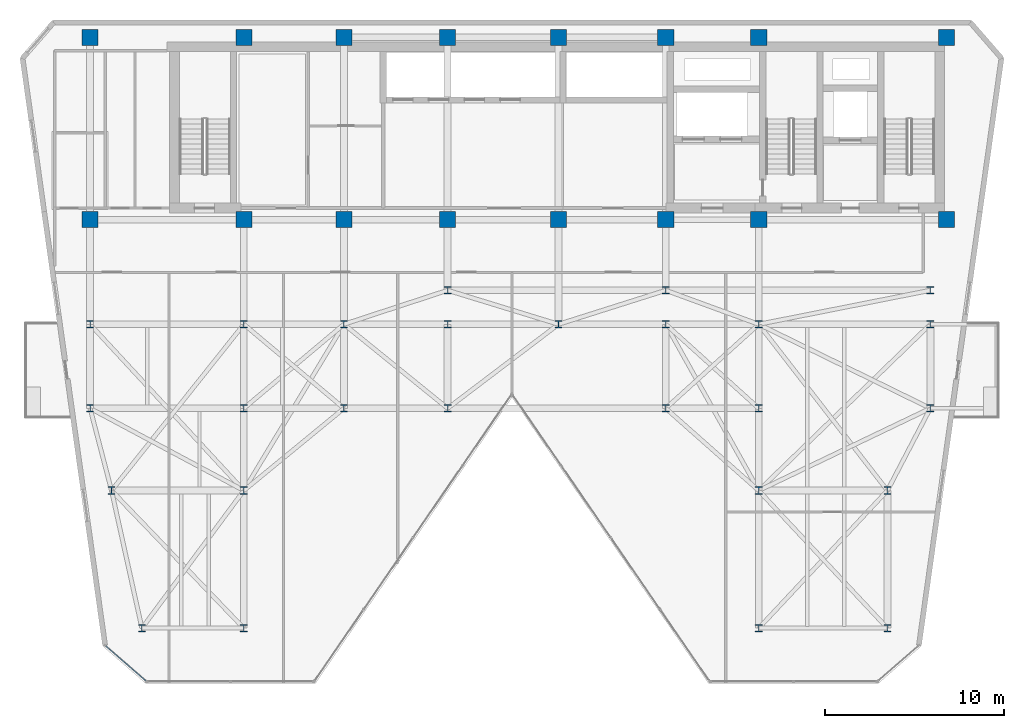
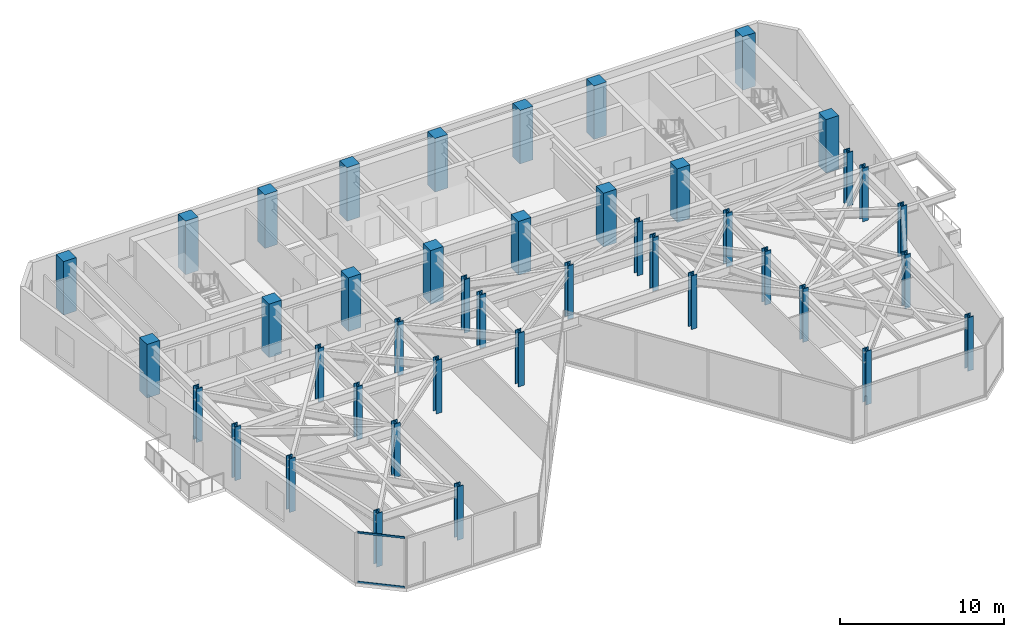
# One storey, part 1 of 21: 42 columns, 2 members, 1 element without a shape of its own.
"""IFC4 building model written with IfcOpenShell, lengths in metres."""

from ifc_helpers import new_model, si_unit, direction, frame, origin, origin_2d, place, context, subcontext, project, spatial, rectangle, hollow_rectangle, i_section, extrude, material, layer, layer_set, material_profile, profile_set, type_object, element, aggregate, save


model = new_model("IFC4")

# Units and contexts
model_context = context("Model", 3, precision=1e-05, world=origin(), true_north=direction((0.0, 1.0)))
body_context = subcontext(model_context, "Body", "Model", "MODEL_VIEW")
ifc_project = project(units=[si_unit("LENGTHUNIT", "METRE"), si_unit("AREAUNIT", "SQUARE_METRE"), si_unit("VOLUMEUNIT", "CUBIC_METRE"), si_unit("PLANEANGLEUNIT", "RADIAN"), si_unit("MASSUNIT", "GRAM", prefix="KILO")], contexts=[model_context])

# Site, building, storey
site_placement = place(None, origin())
site = spatial("IfcSite", under=ifc_project, at=site_placement, CompositionType="ELEMENT")
building_placement = place(site_placement, origin())
building = spatial("IfcBuilding", under=site, at=building_placement, Name="Kravanh Interchange Tower", CompositionType="ELEMENT")
storey_placement = place(building_placement, frame((0.0, 0.0, 168.5)))
storey = spatial("IfcBuildingStorey", under=building, at=storey_placement, Name="L40", CompositionType="ELEMENT", Elevation=168.5)

# Columns
ifc_material_1 = material(Name="Concrete C60/75", Category="concrete")
ifc_material_profile_1 = material_profile(ifc_material_1, rectangle(XDim=0.89990234375, YDim=0.89990234375, at=origin_2d()), Name="RC900X900")
ifc_profile_set_1 = profile_set([ifc_material_profile_1], Name="Concrete C60/75")
column_type_1 = type_object("IfcColumnType", Name="Column RC900X900 Concrete C60/75", PredefinedType="COLUMN", material=ifc_profile_set_1)
for number, where, z_axis, x_axis, name in (
    (1, (66.5, 47.550048828125, 0.0), (0.0, 0.0, 1.0), (1.0, 0.0, 0.0), "L40 Column CS01"),
    (2, (56.0, 47.550048828125, 0.0), (0.0, 0.0, 1.0), (1.0, 0.0, 0.0), "L40 Column CS02"),
    (3, (66.5, 37.35009765625, 0.0), (0.0, 0.0, 1.0), (1.0, 0.0, 0.0), "L40 Column CS03"),
    (4, (56.0, 37.35009765625, 0.0), (0.0, 0.0, 1.0), (1.0, 0.0, 0.0), "L40 Column CS04"),
    (5, (50.800048828125, 47.550048828125, 0.0), (0.0, 0.0, 1.0), (1.0, 0.0, 0.0), "L40 Column CS05"),
    (6, (50.800048828125, 37.35009765625, 0.0), (0.0, 0.0, 1.0), (1.0, 0.0, 0.0), "L40 Column CS06"),
    (7, (44.800048828125, 37.35009765625, 0.0), (0.0, 0.0, 1.0), (1.0, 0.0, 0.0), "L40 Column CS07"),
    (8, (44.800048828125, 47.550048828125, 0.0), (0.0, 0.0, 1.0), (1.0, 0.0, 0.0), "L40 Column CS08"),
    (9, (38.60009765625, 37.35009765625, 0.0), (0.0, 0.0, 1.0), (1.0, 0.0, 0.0), "L40 Column CS09"),
    (10, (38.60009765625, 47.550048828125, 0.0), (0.0, 0.0, 1.0), (1.0, 0.0, 0.0), "L40 Column CS10"),
    (11, (32.800048828125, 37.35009765625, 0.0), (0.0, 0.0, 1.0), (1.0, 0.0, 0.0), "L40 Column CS11"),
    (12, (32.800048828125, 47.550048828125, 0.0), (0.0, 0.0, 1.0), (1.0, 0.0, 0.0), "L40 Column CS12"),
    (13, (27.199951171875, 37.35009765625, 0.0), (0.0, 0.0, 1.0), (1.0, 0.0, 0.0), "L40 Column CS13"),
    (14, (27.199951171875, 47.550048828125, 0.0), (0.0, 0.0, 1.0), (1.0, 0.0, 0.0), "L40 Column CS14"),
    (15, (18.60009765625, 37.35009765625, 0.0), (0.0, 0.0, 1.0), (1.0, 0.0, 0.0), "L40 Column CS17"),
    (16, (18.60009765625, 47.550048828125, 0.0), (0.0, 0.0, 1.0), (1.0, 0.0, 0.0), "L40 Column CS18"),
):
    element("IfcColumn", number, at=place(storey_placement, frame(where, z_axis=z_axis, x_axis=x_axis)), inside=storey, type_object=column_type_1, Name=name, PredefinedType="COLUMN", context=body_context, shape_type="SweptSolid", body=[
        extrude(rectangle(XDim=0.89990234375, YDim=0.89990234375, at=origin_2d()), origin(), (0.0, 0.0, 1.0), 4.0),
    ])
ifc_material_2 = material(Name="Structural Steel S355", Category="steel")
ifc_material_profile_2 = material_profile(ifc_material_2, i_section(OverallWidth=0.408935546875, OverallDepth=0.425048828125, WebThickness=0.03271484375, FlangeThickness=0.052490234375, FilletRadius=0.030029296875, at=origin_2d()), Name="W14X283")
ifc_profile_set_2 = profile_set([ifc_material_profile_2], Name="Structural Steel S355")
column_type_2 = type_object("IfcColumnType", Name="Column W14X283 Structural Steel S355", PredefinedType="COLUMN", material=ifc_profile_set_2)
for number, where, z_axis, x_axis, name in (
    (17, (21.5, 14.5, 0.0), (0.0, 0.0, 1.0), (1.0, 0.0, 0.0), "L40 Column CZ3_1"),
    (18, (18.60009765625, 26.800048828125, 0.0), (0.0, 0.0, 1.0), (1.0, 0.0, 0.0), "L40 Column CZ3_11"),
    (19, (27.199951171875, 26.800048828125, 0.0), (0.0, 0.0, 1.0), (1.0, 0.0, 0.0), "L40 Column CZ3_12"),
    (20, (32.800048828125, 26.800048828125, 0.0), (0.0, 0.0, 1.0), (1.0, 0.0, 0.0), "L40 Column CZ3_13"),
    (21, (38.60009765625, 26.800048828125, 0.0), (0.0, 0.0, 1.0), (1.0, 0.0, 0.0), "L40 Column CZ3_13B"),
    (22, (50.800048828125, 26.800048828125, 0.0), (0.0, 0.0, 1.0), (1.0, 0.0, 0.0), "L40 Column CZ3_14"),
    (23, (56.0, 26.800048828125, 0.0), (0.0, 0.0, 1.0), (1.0, 0.0, 0.0), "L40 Column CZ3_15"),
    (24, (65.60009765625, 26.800048828125, 0.0), (0.0, 0.0, 1.0), (1.0, 0.0, 0.0), "L40 Column CZ3_16"),
    (25, (18.60009765625, 31.5, 0.0), (0.0, 0.0, 1.0), (1.0, 0.0, 0.0), "L40 Column CZ3_17"),
    (26, (27.199951171875, 31.5, 0.0), (0.0, 0.0, 1.0), (1.0, 0.0, 0.0), "L40 Column CZ3_18"),
    (27, (32.800048828125, 31.5, 0.0), (0.0, 0.0, 1.0), (1.0, 0.0, 0.0), "L40 Column CZ3_19"),
    (28, (27.199951171875, 14.5, 0.0), (0.0, 0.0, 1.0), (1.0, 0.0, 0.0), "L40 Column CZ3_2"),
    (29, (38.60009765625, 31.5, 0.0), (0.0, 0.0, 1.0), (1.0, 0.0, 0.0), "L40 Column CZ3_20"),
    (30, (44.800048828125, 31.5, 0.0), (0.0, 0.0, 1.0), (1.0, 0.0, 0.0), "L40 Column CZ3_21"),
    (31, (50.800048828125, 31.5, 0.0), (0.0, 0.0, 1.0), (1.0, 0.0, 0.0), "L40 Column CZ3_22"),
    (32, (56.0, 31.5, 0.0), (0.0, 0.0, 1.0), (1.0, 0.0, 0.0), "L40 Column CZ3_23"),
    (33, (65.60009765625, 31.5, 0.0), (0.0, 0.0, 1.0), (1.0, 0.0, 0.0), "L40 Column CZ3_24"),
    (34, (56.0, 14.5, 0.0), (0.0, 0.0, 1.0), (1.0, 0.0, 0.0), "L40 Column CZ3_3"),
    (35, (63.199951171875, 14.5, 0.0), (0.0, 0.0, 1.0), (1.0, 0.0, 0.0), "L40 Column CZ3_4"),
    (36, (19.800048828125, 22.199951171875, 0.0), (0.0, 0.0, 1.0), (1.0, 0.0, 0.0), "L40 Column CZ3_5"),
    (37, (27.199951171875, 22.199951171875, 0.0), (0.0, 0.0, 1.0), (1.0, 0.0, 0.0), "L40 Column CZ3_6"),
    (38, (56.0, 22.199951171875, 0.0), (0.0, 0.0, 1.0), (1.0, 0.0, 0.0), "L40 Column CZ3_8"),
    (39, (63.199951171875, 22.199951171875, 0.0), (0.0, 0.0, 1.0), (1.0, 0.0, 0.0), "L40 Column CZ3_9"),
    (40, (38.60009765625, 33.39990234375, 0.0), (0.0, 0.0, 1.0), (1.0, 0.0, 0.0), "L40 Column CZ3_M1"),
    (41, (50.800048828125, 33.39990234375, 0.0), (0.0, 0.0, 1.0), (1.0, 0.0, 0.0), "L40 Column CZ3_M2"),
    (42, (65.60009765625, 33.39990234375, 0.0), (0.0, 0.0, 1.0), (1.0, 0.0, 0.0), "L40 Column CZ3_M3"),
):
    element("IfcColumn", number, at=place(storey_placement, frame(where, z_axis=z_axis, x_axis=x_axis)), inside=storey, type_object=column_type_2, Name=name, PredefinedType="COLUMN", context=body_context, shape_type="SweptSolid", body=[
        extrude(i_section(OverallWidth=0.408935546875, OverallDepth=0.425048828125, WebThickness=0.03271484375, FlangeThickness=0.052490234375, FilletRadius=0.030029296875, at=origin_2d()), origin(), (0.0, 0.0, 1.0), 4.0),
    ])

# Curtain wall, members
ifc_material_3 = material(Name="Anodised Bronze Aluminium", Category="aluminium")
ifc_layer = layer(ifc_material_3, 0.179931640625)
ifc_layer_set = layer_set([ifc_layer], Name="Unitised Curtain Wall System CW-Z3 Upper Office")
curtain_wall_type = type_object("IfcCurtainWallType", Name="Unitised Curtain Wall System CW-Z3 Upper Office", PredefinedType="NOTDEFINED", material=ifc_layer_set)
curtain_wall_placement = place(storey_placement, origin())
curtain_wall = element("IfcCurtainWall", 43, at=curtain_wall_placement, inside=storey, type_object=curtain_wall_type, Name="L40 Unitised Curtain Wall CW-L40-06", PredefinedType="NOTDEFINED")
ifc_material_4 = material(Name="Anodised Bronze Aluminium", Category="aluminium")
ifc_material_profile_3 = material_profile(ifc_material_4, hollow_rectangle(XDim=0.06005859375, YDim=0.139892578125, WallThickness=0.00390625, at=origin_2d()), Name="ALU60X140X4")
ifc_profile_set_3 = profile_set([ifc_material_profile_3], Name="Anodised Bronze Aluminium")
member_type = type_object("IfcMemberType", Name="Curtain Wall Transom ALU60X140X4 Bronze", PredefinedType="USERDEFINED", material=ifc_profile_set_3)
member_1_placement = place(storey_placement, frame((21.713623046875, 11.559326171875, 0.030029296875), z_axis=(-0.754708504141, 0.656060266879, 0.0), x_axis=(-0.656060266879, -0.754708504141, 0.0)))
member_1 = element("IfcMember", 44, at=member_1_placement, type_object=member_type, Name="CW-Z3 transom 1.1", ObjectType="TRANSOM", PredefinedType="USERDEFINED", context=body_context, shape_type="SweptSolid", body=[
    extrude(hollow_rectangle(XDim=0.06005859375, YDim=0.139892578125, WallThickness=0.00390625, at=origin_2d()), origin(), (0.0, 0.0, 1.0), 2.9599609375),
])
member_2_placement = place(storey_placement, frame((21.713623046875, 11.559326171875, 3.72509765625), z_axis=(-0.754708504141, 0.656060266879, 0.0), x_axis=(-0.656060266879, -0.754708504141, 0.0)))
member_2 = element("IfcMember", 45, at=member_2_placement, type_object=member_type, Name="CW-Z3 transom 1.2", ObjectType="TRANSOM", PredefinedType="USERDEFINED", context=body_context, shape_type="SweptSolid", body=[
    extrude(hollow_rectangle(XDim=0.06005859375, YDim=0.139892578125, WallThickness=0.00390625, at=origin_2d()), origin(), (0.0, 0.0, 1.0), 2.9599609375),
])
aggregate(curtain_wall, [member_1, member_2])

save(model, "model.ifc")
